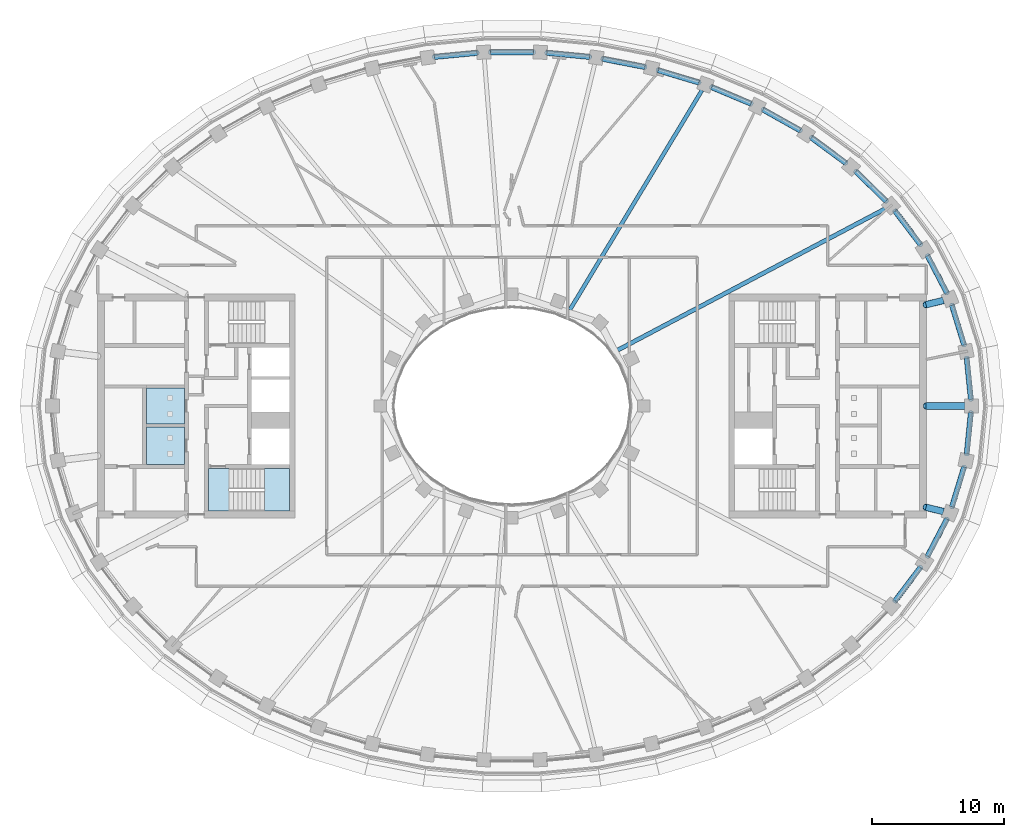
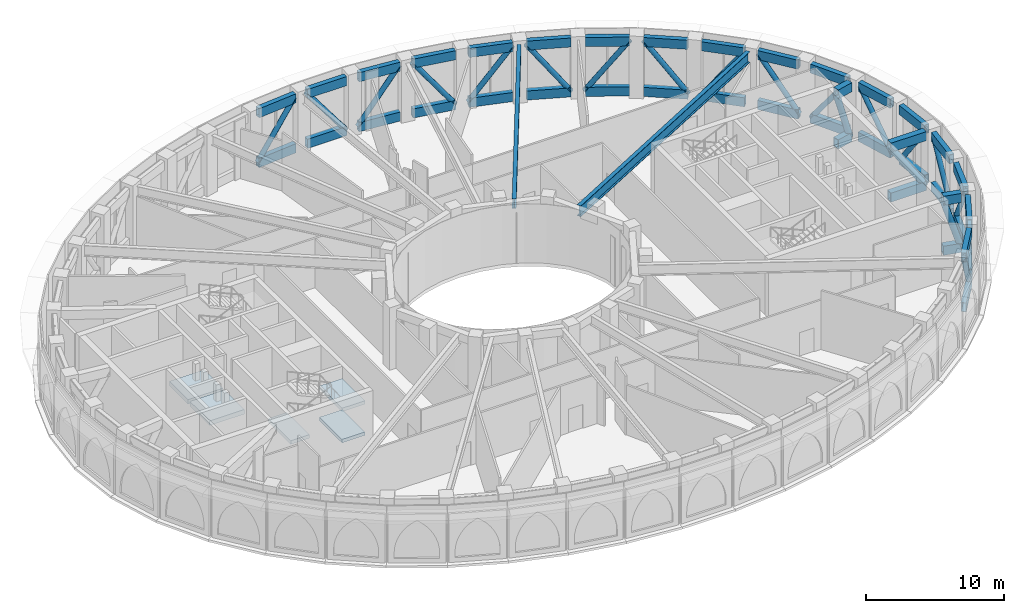
# One storey, part 3 of 23: 42 beams, 20 members, 5 slabs, 1 element without a shape of its own.
"""IFC4 building model written with IfcOpenShell, lengths in metres."""

from ifc_helpers import new_model, si_unit, direction, frame, origin, origin_2d, place, context, subcontext, project, spatial, polyline, hollow_rectangle, hollow_circle, i_section, outline, extrude, material, layer, layer_set, material_profile, profile_set, type_object, element, aggregate, save


model = new_model("IFC4")

# Units and contexts
model_context = context("Model", 3, precision=1e-05, world=origin(), true_north=direction((0.0, 1.0)))
body_context = subcontext(model_context, "Body", "Model", "MODEL_VIEW")
ifc_project = project(units=[si_unit("LENGTHUNIT", "METRE"), si_unit("AREAUNIT", "SQUARE_METRE"), si_unit("VOLUMEUNIT", "CUBIC_METRE"), si_unit("PLANEANGLEUNIT", "RADIAN"), si_unit("MASSUNIT", "GRAM", prefix="KILO")], contexts=[model_context])

# Site, building, storey
site_placement = place(None, origin())
site = spatial("IfcSite", under=ifc_project, at=site_placement, CompositionType="ELEMENT")
building_placement = place(site_placement, origin())
building = spatial("IfcBuilding", under=site, at=building_placement, Name="Noorbagh Ring Tower", CompositionType="ELEMENT")
storey_placement = place(building_placement, frame((0.0, 0.0, 285.5)))
storey = spatial("IfcBuildingStorey", under=building, at=storey_placement, Name="L61", CompositionType="ELEMENT", Elevation=285.5)

# Beams
ifc_material_1 = material(Name="Steel S460", Category="steel")
ifc_material_profile_1 = material_profile(ifc_material_1, hollow_rectangle(XDim=0.39990234375, YDim=0.800048828125, WallThickness=0.031982421875, at=origin_2d()), Name="BOX800x400x32")
ifc_profile_set_1 = profile_set([ifc_material_profile_1], Name="Steel S460")
beam_type_1 = type_object("IfcBeamType", Name="STR-BELT-TRUSS-CHORD-BOX800x400x32-S460", PredefinedType="BEAM", material=ifc_profile_set_1)
for number, where, z_axis, x_axis, name in (
    (1, (34.893798828125, 0.505126953125, 0.39990234375), (-0.100162281746, 0.99497111381, 0.0), (-0.99497111381, -0.100162281746, 0.0), "Belt truss chord"),
    (2, (34.893798828125, 0.505126953125, 4.800048828125), (-0.100162281746, 0.99497111381, 0.0), (-0.99497111381, -0.100162281746, 0.0), "Belt truss chord"),
):
    element("IfcBeam", number, at=place(storey_placement, frame(where, z_axis=z_axis, x_axis=x_axis)), inside=storey, type_object=beam_type_1, Name=name, PredefinedType="BEAM", context=body_context, shape_type="SweptSolid", body=[
        extrude(hollow_rectangle(XDim=0.39990234375, YDim=0.800048828125, WallThickness=0.031982421875, at=origin_2d()), origin(), (0.0, 0.0, 1.0), 3.156494140625),
    ])
for number, where, z_axis, x_axis, name in (
    (3, (34.37841796875, 4.635986328125, 0.39990234375), (-0.292140180951, 0.95637550924, 0.0), (-0.95637550924, -0.292140180951, 0.0), "Belt truss chord"),
    (4, (34.37841796875, 4.635986328125, 4.800048828125), (-0.292140180951, 0.95637550924, 0.0), (-0.95637550924, -0.292140180951, 0.0), "Belt truss chord"),
):
    element("IfcBeam", number, at=place(storey_placement, frame(where, z_axis=z_axis, x_axis=x_axis)), inside=storey, type_object=beam_type_1, Name=name, PredefinedType="BEAM", context=body_context, shape_type="SweptSolid", body=[
        extrude(hollow_rectangle(XDim=0.39990234375, YDim=0.800048828125, WallThickness=0.031982421875, at=origin_2d()), origin(), (0.0, 0.0, 1.0), 3.16650390625),
    ])
for number, where, z_axis, x_axis, name in (
    (5, (33.07080078125, 8.59912109375, 0.39990234375), (-0.462275020648, 0.886736604232, 0.0), (-0.886736604232, -0.462275020648, 0.0), "Belt truss chord"),
    (6, (33.07080078125, 8.59912109375, 4.800048828125), (-0.462275020648, 0.886736604232, 0.0), (-0.886736604232, -0.462275020648, 0.0), "Belt truss chord"),
):
    element("IfcBeam", number, at=place(storey_placement, frame(where, z_axis=z_axis, x_axis=x_axis)), inside=storey, type_object=beam_type_1, Name=name, PredefinedType="BEAM", context=body_context, shape_type="SweptSolid", body=[
        extrude(hollow_rectangle(XDim=0.39990234375, YDim=0.800048828125, WallThickness=0.031982421875, at=origin_2d()), origin(), (0.0, 0.0, 1.0), 3.18310546875),
    ])
for number, where, z_axis, x_axis, name in (
    (7, (31.058837890625, 12.27490234375, 0.39990234375), (-0.604005939895, 0.796979814406, 0.0), (-0.796979814406, -0.604005939895, 0.0), "Belt truss chord"),
    (8, (31.058837890625, 12.27490234375, 4.800048828125), (-0.604005939895, 0.796979814406, 0.0), (-0.796979814406, -0.604005939895, 0.0), "Belt truss chord"),
):
    element("IfcBeam", number, at=place(storey_placement, frame(where, z_axis=z_axis, x_axis=x_axis)), inside=storey, type_object=beam_type_1, Name=name, PredefinedType="BEAM", context=body_context, shape_type="SweptSolid", body=[
        extrude(hollow_rectangle(XDim=0.39990234375, YDim=0.800048828125, WallThickness=0.031982421875, at=origin_2d()), origin(), (0.0, 0.0, 1.0), 3.2021484375),
    ])
for number, where, z_axis, x_axis, name in (
    (9, (28.45556640625, 15.58349609375, 0.39990234375), (-0.717229582564, 0.69683694355, 0.0), (-0.69683694355, -0.717229582564, 0.0), "Belt truss chord"),
    (10, (28.45556640625, 15.58349609375, 4.800048828125), (-0.717229582564, 0.69683694355, 0.0), (-0.69683694355, -0.717229582564, 0.0), "Belt truss chord"),
):
    element("IfcBeam", number, at=place(storey_placement, frame(where, z_axis=z_axis, x_axis=x_axis)), inside=storey, type_object=beam_type_1, Name=name, PredefinedType="BEAM", context=body_context, shape_type="SweptSolid", body=[
        extrude(hollow_rectangle(XDim=0.39990234375, YDim=0.800048828125, WallThickness=0.031982421875, at=origin_2d()), origin(), (0.0, 0.0, 1.0), 3.220458984375),
    ])
for number, where, z_axis, x_axis, name in (
    (11, (25.375244140625, 18.48046875, 0.39990234375), (-0.805139257041, 0.593085808944, 0.0), (-0.593085808944, -0.805139257041, 0.0), "Belt truss chord"),
    (12, (25.375244140625, 18.48046875, 4.800048828125), (-0.805139257041, 0.593085808944, 0.0), (-0.593085808944, -0.805139257041, 0.0), "Belt truss chord"),
):
    element("IfcBeam", number, at=place(storey_placement, frame(where, z_axis=z_axis, x_axis=x_axis)), inside=storey, type_object=beam_type_1, Name=name, PredefinedType="BEAM", context=body_context, shape_type="SweptSolid", body=[
        extrude(hollow_rectangle(XDim=0.39990234375, YDim=0.800048828125, WallThickness=0.031982421875, at=origin_2d()), origin(), (0.0, 0.0, 1.0), 3.236328125),
    ])
for number, where, z_axis, x_axis, name in (
    (13, (21.9208984375, 20.947509765625, 0.39990234375), (-0.872036673164, 0.489440538428, 0.0), (-0.489440538428, -0.872036673164, 0.0), "Belt truss chord"),
    (14, (21.9208984375, 20.947509765625, 4.800048828125), (-0.872036673164, 0.489440538428, 0.0), (-0.489440538428, -0.872036673164, 0.0), "Belt truss chord"),
):
    element("IfcBeam", number, at=place(storey_placement, frame(where, z_axis=z_axis, x_axis=x_axis)), inside=storey, type_object=beam_type_1, Name=name, PredefinedType="BEAM", context=body_context, shape_type="SweptSolid", body=[
        extrude(hollow_rectangle(XDim=0.39990234375, YDim=0.800048828125, WallThickness=0.031982421875, at=origin_2d()), origin(), (0.0, 0.0, 1.0), 3.249267578125),
    ])
for number, where, z_axis, x_axis, name in (
    (15, (18.179931640625, 22.9814453125, 0.39990234375), (-0.921797458045, 0.38767182815, 0.0), (-0.38767182815, -0.921797458045, 0.0), "Belt truss chord"),
    (16, (18.179931640625, 22.9814453125, 4.800048828125), (-0.921797458045, 0.38767182815, 0.0), (-0.38767182815, -0.921797458045, 0.0), "Belt truss chord"),
):
    element("IfcBeam", number, at=place(storey_placement, frame(where, z_axis=z_axis, x_axis=x_axis)), inside=storey, type_object=beam_type_1, Name=name, PredefinedType="BEAM", context=body_context, shape_type="SweptSolid", body=[
        extrude(hollow_rectangle(XDim=0.39990234375, YDim=0.800048828125, WallThickness=0.031982421875, at=origin_2d()), origin(), (0.0, 0.0, 1.0), 3.259033203125),
    ])
for number, where, z_axis, x_axis, name in (
    (17, (14.225341796875, 24.586669921875, 0.39990234375), (-0.957591455389, 0.288129492704, 0.0), (-0.288129492704, -0.957591455389, 0.0), "Belt truss chord"),
    (18, (14.225341796875, 24.586669921875, 4.800048828125), (-0.957591455389, 0.288129492704, 0.0), (-0.288129492704, -0.957591455389, 0.0), "Belt truss chord"),
):
    element("IfcBeam", number, at=place(storey_placement, frame(where, z_axis=z_axis, x_axis=x_axis)), inside=storey, type_object=beam_type_1, Name=name, PredefinedType="BEAM", context=body_context, shape_type="SweptSolid", body=[
        extrude(hollow_rectangle(XDim=0.39990234375, YDim=0.800048828125, WallThickness=0.031982421875, at=origin_2d()), origin(), (0.0, 0.0, 1.0), 3.266357421875),
    ])
for number, where, z_axis, x_axis, name in (
    (19, (10.116943359375, 25.77001953125, 0.39990234375), (-0.981625486335, 0.190817726057, 0.0), (-0.190817726057, -0.981625486335, 0.0), "Belt truss chord"),
    (20, (10.116943359375, 25.77001953125, 4.800048828125), (-0.981625486335, 0.190817726057, 0.0), (-0.190817726057, -0.981625486335, 0.0), "Belt truss chord"),
):
    element("IfcBeam", number, at=place(storey_placement, frame(where, z_axis=z_axis, x_axis=x_axis)), inside=storey, type_object=beam_type_1, Name=name, PredefinedType="BEAM", context=body_context, shape_type="SweptSolid", body=[
        extrude(hollow_rectangle(XDim=0.39990234375, YDim=0.800048828125, WallThickness=0.031982421875, at=origin_2d()), origin(), (0.0, 0.0, 1.0), 3.271484375),
    ])
for number, where, z_axis, x_axis, name in (
    (21, (5.906005859375, 26.538818359375, 0.39990234375), (-0.99547803004, 0.094992061289, 0.0), (-0.094992061289, -0.99547803004, 0.0), "Belt truss chord"),
    (22, (5.906005859375, 26.538818359375, 4.800048828125), (-0.99547803004, 0.094992061289, 0.0), (-0.094992061289, -0.99547803004, 0.0), "Belt truss chord"),
):
    element("IfcBeam", number, at=place(storey_placement, frame(where, z_axis=z_axis, x_axis=x_axis)), inside=storey, type_object=beam_type_1, Name=name, PredefinedType="BEAM", context=body_context, shape_type="SweptSolid", body=[
        extrude(hollow_rectangle(XDim=0.39990234375, YDim=0.800048828125, WallThickness=0.031982421875, at=origin_2d()), origin(), (0.0, 0.0, 1.0), 3.2744140625),
    ])
for number, where, z_axis, x_axis, name in (
    (23, (1.6376953125, 26.89794921875, 0.39990234375), (-1.0, 0.0, 0.0), (0.0, -1.0, 0.0), "Belt truss chord"),
    (24, (1.6376953125, 26.89794921875, 4.800048828125), (-1.0, 0.0, 0.0), (0.0, -1.0, 0.0), "Belt truss chord"),
):
    element("IfcBeam", number, at=place(storey_placement, frame(where, z_axis=z_axis, x_axis=x_axis)), inside=storey, type_object=beam_type_1, Name=name, PredefinedType="BEAM", context=body_context, shape_type="SweptSolid", body=[
        extrude(hollow_rectangle(XDim=0.39990234375, YDim=0.800048828125, WallThickness=0.031982421875, at=origin_2d()), origin(), (0.0, 0.0, 1.0), 3.275390625),
    ])
for number, where, z_axis, x_axis, name in (
    (25, (-2.646484375, 26.849853515625, 0.39990234375), (-0.99547803004, -0.094992061289, 0.0), (0.094992061289, -0.99547803004, 0.0), "Belt truss chord"),
    (26, (-2.646484375, 26.849853515625, 4.800048828125), (-0.99547803004, -0.094992061289, 0.0), (0.094992061289, -0.99547803004, 0.0), "Belt truss chord"),
):
    element("IfcBeam", number, at=place(storey_placement, frame(where, z_axis=z_axis, x_axis=x_axis)), inside=storey, type_object=beam_type_1, Name=name, PredefinedType="BEAM", context=body_context, shape_type="SweptSolid", body=[
        extrude(hollow_rectangle(XDim=0.39990234375, YDim=0.800048828125, WallThickness=0.031982421875, at=origin_2d()), origin(), (0.0, 0.0, 1.0), 3.2744140625),
    ])
for number, where, z_axis, x_axis, name in (
    (27, (29.124755859375, -14.826904296875, 0.39990234375), (0.604005939895, 0.796979814406, 0.0), (-0.796979814406, 0.604005939895, 0.0), "Belt truss chord"),
    (28, (29.124755859375, -14.826904296875, 4.800048828125), (0.604005939895, 0.796979814406, 0.0), (-0.796979814406, 0.604005939895, 0.0), "Belt truss chord"),
):
    element("IfcBeam", number, at=place(storey_placement, frame(where, z_axis=z_axis, x_axis=x_axis)), inside=storey, type_object=beam_type_1, Name=name, PredefinedType="BEAM", context=body_context, shape_type="SweptSolid", body=[
        extrude(hollow_rectangle(XDim=0.39990234375, YDim=0.800048828125, WallThickness=0.031982421875, at=origin_2d()), origin(), (0.0, 0.0, 1.0), 3.2021484375),
    ])
for number, where, z_axis, x_axis, name in (
    (29, (31.599365234375, -11.421630859375, 0.39990234375), (0.462275020648, 0.886736604232, 0.0), (-0.886736604232, 0.462275020648, 0.0), "Belt truss chord"),
    (30, (31.599365234375, -11.421630859375, 4.800048828125), (0.462275020648, 0.886736604232, 0.0), (-0.886736604232, 0.462275020648, 0.0), "Belt truss chord"),
):
    element("IfcBeam", number, at=place(storey_placement, frame(where, z_axis=z_axis, x_axis=x_axis)), inside=storey, type_object=beam_type_1, Name=name, PredefinedType="BEAM", context=body_context, shape_type="SweptSolid", body=[
        extrude(hollow_rectangle(XDim=0.39990234375, YDim=0.800048828125, WallThickness=0.031982421875, at=origin_2d()), origin(), (0.0, 0.0, 1.0), 3.18310546875),
    ])
for number, where, z_axis, x_axis, name in (
    (31, (33.453369140625, -7.664306640625, 0.39990234375), (0.292140180951, 0.95637550924, 0.0), (-0.95637550924, 0.292140180951, 0.0), "Belt truss chord"),
    (32, (33.453369140625, -7.664306640625, 4.800048828125), (0.292140180951, 0.95637550924, 0.0), (-0.95637550924, 0.292140180951, 0.0), "Belt truss chord"),
):
    element("IfcBeam", number, at=place(storey_placement, frame(where, z_axis=z_axis, x_axis=x_axis)), inside=storey, type_object=beam_type_1, Name=name, PredefinedType="BEAM", context=body_context, shape_type="SweptSolid", body=[
        extrude(hollow_rectangle(XDim=0.39990234375, YDim=0.800048828125, WallThickness=0.031982421875, at=origin_2d()), origin(), (0.0, 0.0, 1.0), 3.16650390625),
    ])
for number, where, z_axis, x_axis, name in (
    (33, (34.57763671875, -3.645751953125, 0.39990234375), (0.100162281746, 0.99497111381, 0.0), (-0.99497111381, 0.100162281746, 0.0), "Belt truss chord"),
    (34, (34.57763671875, -3.645751953125, 4.800048828125), (0.100162281746, 0.99497111381, 0.0), (-0.99497111381, 0.100162281746, 0.0), "Belt truss chord"),
):
    element("IfcBeam", number, at=place(storey_placement, frame(where, z_axis=z_axis, x_axis=x_axis)), inside=storey, type_object=beam_type_1, Name=name, PredefinedType="BEAM", context=body_context, shape_type="SweptSolid", body=[
        extrude(hollow_rectangle(XDim=0.39990234375, YDim=0.800048828125, WallThickness=0.031982421875, at=origin_2d()), origin(), (0.0, 0.0, 1.0), 3.156494140625),
    ])

# Members
ifc_material_2 = material(Name="Steel S355", Category="steel")
ifc_material_profile_2 = material_profile(ifc_material_2, hollow_circle(Radius=0.203125, WallThickness=0.01611328125, at=origin_2d()), Name="CHS406.4x16")
ifc_profile_set_2 = profile_set([ifc_material_profile_2], Name="Steel S355")
member_type_1 = type_object("IfcMemberType", Name="STR-BELT-TRUSS-DIAGONAL-CHS406.4x16", PredefinedType="BRACE", material=ifc_profile_set_2)
member_1_placement = place(storey_placement, frame((34.57763671875, 3.645751953125, 0.39990234375), z_axis=(0.05838381788, -0.579960952286, 0.812549459192), x_axis=(0.99497111381, 0.100162281746, 0.0)))
element("IfcMember", 35, at=member_1_placement, inside=storey, type_object=member_type_1, Name="Belt truss diagonal", PredefinedType="BRACE", context=body_context, shape_type="SweptSolid", body=[
    extrude(hollow_circle(Radius=0.203125, WallThickness=0.01611328125, at=origin_2d()), origin(), (0.0, 0.0, 1.0), 5.415283203125),
])
member_2_placement = place(storey_placement, frame((34.37841796875, 4.635986328125, 0.39990234375), z_axis=(-0.170640316934, 0.558622985288, 0.811678657194), x_axis=(-0.95637550924, -0.292140180951, 0.0)))
element("IfcMember", 36, at=member_2_placement, inside=storey, type_object=member_type_1, Name="Belt truss diagonal", PredefinedType="BRACE", context=body_context, shape_type="SweptSolid", body=[
    extrude(hollow_circle(Radius=0.203125, WallThickness=0.01611328125, at=origin_2d()), origin(), (0.0, 0.0, 1.0), 5.421142578125),
])
member_3_placement = place(storey_placement, frame((31.599365234375, 11.421630859375, 0.39990234375), z_axis=(0.270945515121, -0.519728073721, 0.810229138714), x_axis=(0.886736604232, 0.462275020648, 0.0)))
element("IfcMember", 37, at=member_3_placement, inside=storey, type_object=member_type_1, Name="Belt truss diagonal", PredefinedType="BRACE", context=body_context, shape_type="SweptSolid", body=[
    extrude(hollow_circle(Radius=0.203125, WallThickness=0.01611328125, at=origin_2d()), origin(), (0.0, 0.0, 1.0), 5.4306640625),
])
member_4_placement = place(storey_placement, frame((31.058837890625, 12.27490234375, 0.39990234375), z_axis=(-0.355403249819, 0.468951043973, 0.808562581607), x_axis=(-0.796979814406, -0.604005939895, 0.0)))
element("IfcMember", 38, at=member_4_placement, inside=storey, type_object=member_type_1, Name="Belt truss diagonal", PredefinedType="BRACE", context=body_context, shape_type="SweptSolid", body=[
    extrude(hollow_circle(Radius=0.203125, WallThickness=0.01611328125, at=origin_2d()), origin(), (0.0, 0.0, 1.0), 5.44189453125),
])
member_5_placement = place(storey_placement, frame((26.145751953125, 17.82763671875, 0.39990234375), z_axis=(0.423603877788, -0.411559755271, 0.806956208579), x_axis=(0.69683694355, 0.717229582564, 0.0)))
element("IfcMember", 39, at=member_5_placement, inside=storey, type_object=member_type_1, Name="Belt truss diagonal", PredefinedType="BRACE", context=body_context, shape_type="SweptSolid", body=[
    extrude(hollow_circle(Radius=0.203125, WallThickness=0.01611328125, at=origin_2d()), origin(), (0.0, 0.0, 1.0), 5.452880859375),
])
member_6_placement = place(storey_placement, frame((25.375244140625, 18.48046875, 0.39990234375), z_axis=(-0.47704757351, 0.351405230295, 0.805568108064), x_axis=(-0.593085808944, -0.805139257041, 0.0)))
element("IfcMember", 40, at=member_6_placement, inside=storey, type_object=member_type_1, Name="Belt truss diagonal", PredefinedType="BRACE", context=body_context, shape_type="SweptSolid", body=[
    extrude(hollow_circle(Radius=0.203125, WallThickness=0.01611328125, at=origin_2d()), origin(), (0.0, 0.0, 1.0), 5.462158203125),
])
member_7_placement = place(storey_placement, frame((19.08740234375, 22.537841796875, 0.39990234375), z_axis=(0.518021789464, -0.290745643337, 0.804437938266), x_axis=(0.489440538428, 0.872036673164, 0.0)))
element("IfcMember", 41, at=member_7_placement, inside=storey, type_object=member_type_1, Name="Belt truss diagonal", PredefinedType="BRACE", context=body_context, shape_type="SweptSolid", body=[
    extrude(hollow_circle(Radius=0.203125, WallThickness=0.01611328125, at=origin_2d()), origin(), (0.0, 0.0, 1.0), 5.4697265625),
])
member_8_placement = place(storey_placement, frame((18.179931640625, 22.9814453125, 0.39990234375), z_axis=(-0.548640736729, 0.230736758437, 0.803588134748), x_axis=(-0.38767182815, -0.921797458045, 0.0)))
element("IfcMember", 42, at=member_8_placement, inside=storey, type_object=member_type_1, Name="Belt truss diagonal", PredefinedType="BRACE", context=body_context, shape_type="SweptSolid", body=[
    extrude(hollow_circle(Radius=0.203125, WallThickness=0.01611328125, at=origin_2d()), origin(), (0.0, 0.0, 1.0), 5.4755859375),
])
member_9_placement = place(storey_placement, frame((11.097412109375, 25.52783203125, 0.39990234375), z_axis=(0.570784203225, -0.171743139512, 0.802938159125), x_axis=(0.288129492704, 0.957591455389, 0.0)))
element("IfcMember", 43, at=member_9_placement, inside=storey, type_object=member_type_1, Name="Belt truss diagonal", PredefinedType="BRACE", context=body_context, shape_type="SweptSolid", body=[
    extrude(hollow_circle(Radius=0.203125, WallThickness=0.01611328125, at=origin_2d()), origin(), (0.0, 0.0, 1.0), 5.47998046875),
])
member_10_placement = place(storey_placement, frame((10.116943359375, 25.77001953125, 0.39990234375), z_axis=(-0.585696554173, 0.113853283337, 0.802494221975), x_axis=(-0.190817726057, -0.981625486335, 0.0)))
element("IfcMember", 44, at=member_10_placement, inside=storey, type_object=member_type_1, Name="Belt truss diagonal", PredefinedType="BRACE", context=body_context, shape_type="SweptSolid", body=[
    extrude(hollow_circle(Radius=0.203125, WallThickness=0.01611328125, at=origin_2d()), origin(), (0.0, 0.0, 1.0), 5.483154296875),
])
member_11_placement = place(storey_placement, frame((2.646484375, 26.849853515625, 0.39990234375), z_axis=(0.594287775286, -0.056709057427, 0.802250660923), x_axis=(0.094992061289, 0.99547803004, 0.0)))
element("IfcMember", 45, at=member_11_placement, inside=storey, type_object=member_type_1, Name="Belt truss diagonal", PredefinedType="BRACE", context=body_context, shape_type="SweptSolid", body=[
    extrude(hollow_circle(Radius=0.203125, WallThickness=0.01611328125, at=origin_2d()), origin(), (0.0, 0.0, 1.0), 5.48486328125),
])
member_12_placement = place(storey_placement, frame((1.6376953125, 26.89794921875, 0.39990234375), z_axis=(-0.597112017864, 0.0, 0.802157863592), x_axis=(0.0, -1.0, 0.0)))
element("IfcMember", 46, at=member_12_placement, inside=storey, type_object=member_type_1, Name="Belt truss diagonal", PredefinedType="BRACE", context=body_context, shape_type="SweptSolid", body=[
    extrude(hollow_circle(Radius=0.203125, WallThickness=0.01611328125, at=origin_2d()), origin(), (0.0, 0.0, 1.0), 5.4853515625),
])
member_13_placement = place(storey_placement, frame((-5.906005859375, 26.538818359375, 0.39990234375), z_axis=(0.594287775286, 0.056709057427, 0.802250660923), x_axis=(-0.094992061289, 0.99547803004, 0.0)))
element("IfcMember", 47, at=member_13_placement, inside=storey, type_object=member_type_1, Name="Belt truss diagonal", PredefinedType="BRACE", context=body_context, shape_type="SweptSolid", body=[
    extrude(hollow_circle(Radius=0.203125, WallThickness=0.01611328125, at=origin_2d()), origin(), (0.0, 0.0, 1.0), 5.48486328125),
])
member_14_placement = place(storey_placement, frame((31.058837890625, -12.27490234375, 0.39990234375), z_axis=(-0.355403249819, -0.468951043973, 0.808562581607), x_axis=(0.796979814406, -0.604005939895, 0.0)))
element("IfcMember", 48, at=member_14_placement, inside=storey, type_object=member_type_1, Name="Belt truss diagonal", PredefinedType="BRACE", context=body_context, shape_type="SweptSolid", body=[
    extrude(hollow_circle(Radius=0.203125, WallThickness=0.01611328125, at=origin_2d()), origin(), (0.0, 0.0, 1.0), 5.44189453125),
])
member_15_placement = place(storey_placement, frame((31.599365234375, -11.421630859375, 0.39990234375), z_axis=(0.270945515121, 0.519728073721, 0.810229138714), x_axis=(-0.886736604232, 0.462275020648, 0.0)))
element("IfcMember", 49, at=member_15_placement, inside=storey, type_object=member_type_1, Name="Belt truss diagonal", PredefinedType="BRACE", context=body_context, shape_type="SweptSolid", body=[
    extrude(hollow_circle(Radius=0.203125, WallThickness=0.01611328125, at=origin_2d()), origin(), (0.0, 0.0, 1.0), 5.4306640625),
])
member_16_placement = place(storey_placement, frame((34.37841796875, -4.635986328125, 0.39990234375), z_axis=(-0.170640316934, -0.558622985288, 0.811678657194), x_axis=(0.95637550924, -0.292140180951, 0.0)))
element("IfcMember", 50, at=member_16_placement, inside=storey, type_object=member_type_1, Name="Belt truss diagonal", PredefinedType="BRACE", context=body_context, shape_type="SweptSolid", body=[
    extrude(hollow_circle(Radius=0.203125, WallThickness=0.01611328125, at=origin_2d()), origin(), (0.0, 0.0, 1.0), 5.421142578125),
])
member_17_placement = place(storey_placement, frame((34.57763671875, -3.645751953125, 0.39990234375), z_axis=(0.05838381788, 0.579960952286, 0.812549459192), x_axis=(-0.99497111381, 0.100162281746, 0.0)))
element("IfcMember", 51, at=member_17_placement, inside=storey, type_object=member_type_1, Name="Belt truss diagonal", PredefinedType="BRACE", context=body_context, shape_type="SweptSolid", body=[
    extrude(hollow_circle(Radius=0.203125, WallThickness=0.01611328125, at=origin_2d()), origin(), (0.0, 0.0, 1.0), 5.415283203125),
])

# Beams
ifc_material_3 = material(Name="Steel S460", Category="steel")
ifc_material_profile_3 = material_profile(ifc_material_3, hollow_rectangle(XDim=0.5, YDim=0.800048828125, WallThickness=0.0400390625, at=origin_2d()), Name="BOX800x500x40")
ifc_profile_set_3 = profile_set([ifc_material_profile_3], Name="Steel S460")
beam_type_2 = type_object("IfcBeamType", Name="STR-OUTRIGGER-TRUSS-CHORD-BOX800x500x40-S460", PredefinedType="BEAM", material=ifc_profile_set_3)
for number, where, z_axis, x_axis, name in (
    (52, (34.439697265625, 0.0, 0.39990234375), (-1.0, 0.0, 0.0), (0.0, -1.0, 0.0), "Outrigger truss chord"),
    (53, (34.439697265625, 0.0, 4.800048828125), (-1.0, 0.0, 0.0), (0.0, -1.0, 0.0), "Outrigger truss chord"),
):
    element("IfcBeam", number, at=place(storey_placement, frame(where, z_axis=z_axis, x_axis=x_axis)), inside=storey, type_object=beam_type_2, Name=name, PredefinedType="BEAM", context=body_context, shape_type="SweptSolid", body=[
        extrude(hollow_rectangle(XDim=0.5, YDim=0.800048828125, WallThickness=0.0400390625, at=origin_2d()), origin(), (0.0, 0.0, 1.0), 2.959716796875),
    ])
for number, where, z_axis, x_axis, name in (
    (54, (32.80908203125, 8.02783203125, 0.39990234375), (-0.971368805904, -0.237576604311, 0.0), (0.237576604311, -0.971368805904, 0.0), "Outrigger truss chord"),
    (55, (32.80908203125, 8.02783203125, 4.800048828125), (-0.971368805904, -0.237576604311, 0.0), (0.237576604311, -0.971368805904, 0.0), "Outrigger truss chord"),
    (56, (32.80908203125, -8.02783203125, 0.39990234375), (-0.971368805904, 0.237576604311, 0.0), (-0.237576604311, -0.971368805904, 0.0), "Outrigger truss chord"),
    (57, (32.80908203125, -8.02783203125, 4.800048828125), (-0.971368805904, 0.237576604311, 0.0), (-0.237576604311, -0.971368805904, 0.0), "Outrigger truss chord"),
):
    element("IfcBeam", number, at=place(storey_placement, frame(where, z_axis=z_axis, x_axis=x_axis)), inside=storey, type_object=beam_type_2, Name=name, PredefinedType="BEAM", context=body_context, shape_type="SweptSolid", body=[
        extrude(hollow_rectangle(XDim=0.5, YDim=0.800048828125, WallThickness=0.0400390625, at=origin_2d()), origin(), (0.0, 0.0, 1.0), 1.36767578125),
    ])

# Members
ifc_material_4 = material(Name="Steel S355", Category="steel")
ifc_material_profile_4 = material_profile(ifc_material_4, hollow_circle(Radius=0.25390625, WallThickness=0.02490234375, at=origin_2d()), Name="CHS508x25")
ifc_profile_set_4 = profile_set([ifc_material_profile_4], Name="Steel S355")
member_type_2 = type_object("IfcMemberType", Name="STR-OUTRIGGER-TRUSS-DIAGONAL-CHS508x25", PredefinedType="BRACE", material=ifc_profile_set_4)
member_18_placement = place(storey_placement, frame((34.439697265625, 0.0, 0.39990234375), z_axis=(-0.55812713214, 0.0, 0.829755448532), x_axis=(0.0, -1.0, 0.0)))
element("IfcMember", 58, at=member_18_placement, inside=storey, type_object=member_type_2, Name="Outrigger truss diagonal", PredefinedType="BRACE", context=body_context, shape_type="SweptSolid", body=[
    extrude(hollow_circle(Radius=0.25390625, WallThickness=0.02490234375, at=origin_2d()), origin(), (0.0, 0.0, 1.0), 5.302978515625),
])
for number, where, z_axis, x_axis, name in (
    (59, (32.80908203125, 8.02783203125, 0.39990234375), (-0.288338184079, -0.070521522052, 0.954928168256), (0.237576604311, -0.971368805904, 0.0), "Outrigger truss diagonal"),
    (60, (32.80908203125, -8.02783203125, 0.39990234375), (-0.288338184079, 0.070521522052, 0.954928168256), (-0.237576604311, -0.971368805904, 0.0), "Outrigger truss diagonal"),
):
    element("IfcMember", number, at=place(storey_placement, frame(where, z_axis=z_axis, x_axis=x_axis)), inside=storey, type_object=member_type_2, Name=name, PredefinedType="BRACE", context=body_context, shape_type="SweptSolid", body=[
        extrude(hollow_circle(Radius=0.25390625, WallThickness=0.02490234375, at=origin_2d()), origin(), (0.0, 0.0, 1.0), 4.60791015625),
    ])

# Beams
ifc_material_5 = material(Name="Steel S355", Category="steel")
ifc_material_profile_5 = material_profile(ifc_material_5, i_section(OverallWidth=0.300048828125, OverallDepth=0.85009765625, WebThickness=0.013916015625, FlangeThickness=0.028076171875, at=origin_2d()), Name="PG850x300x14x28")
ifc_profile_set_5 = profile_set([ifc_material_profile_5], Name="Steel S355")
beam_type_3 = type_object("IfcBeamType", Name="STR-RAD-PG850x300x14x28", PredefinedType="BEAM", material=ifc_profile_set_5)
beam_1_placement = place(storey_placement, frame((14.44384765625, 23.999267578125, 4.77490234375), z_axis=(-0.515656906989, -0.856795164712, 0.0), x_axis=(0.856795164712, -0.515656906989, 0.0)))
element("IfcBeam", 61, at=beam_1_placement, inside=storey, type_object=beam_type_3, Name="L61/bm/RD09", PredefinedType="BEAM", context=body_context, shape_type="SweptSolid", body=[
    extrude(i_section(OverallWidth=0.300048828125, OverallDepth=0.85009765625, WebThickness=0.013916015625, FlangeThickness=0.028076171875, at=origin_2d()), origin(), (0.0, 0.0, 1.0), 19.471923828125),
])
ifc_material_6 = material(Name="Steel S355", Category="steel")
ifc_material_profile_6 = material_profile(ifc_material_6, i_section(OverallWidth=0.320068359375, OverallDepth=0.949951171875, WebThickness=0.01611328125, FlangeThickness=0.030029296875, at=origin_2d()), Name="PG950x320x16x30")
ifc_profile_set_6 = profile_set([ifc_material_profile_6], Name="Steel S355")
beam_type_4 = type_object("IfcBeamType", Name="STR-RAD-PG950x320x16x30", PredefinedType="BEAM", material=ifc_profile_set_6)
beam_2_placement = place(storey_placement, frame((28.35888671875, 14.9873046875, 4.72509765625), z_axis=(-0.884128728226, -0.467243396878, 0.0), x_axis=(0.467243396878, -0.884128728226, 0.0)))
element("IfcBeam", 62, at=beam_2_placement, inside=storey, type_object=beam_type_4, Name="L61/bm/RD05", PredefinedType="BEAM", context=body_context, shape_type="SweptSolid", body=[
    extrude(i_section(OverallWidth=0.320068359375, OverallDepth=0.949951171875, WebThickness=0.01611328125, FlangeThickness=0.030029296875, at=origin_2d()), origin(), (0.0, 0.0, 1.0), 22.98486328125),
])

# Slabs
ifc_material_7 = material(Name="Concrete C40/50", Category="concrete")
ifc_layer_1 = layer(ifc_material_7, 0.39990234375)
ifc_layer_set_1 = layer_set([ifc_layer_1], Name="Concrete C40/50")
slab_type_1 = type_object("IfcSlabType", Name="CORE-PIT-SLAB", PredefinedType="BASESLAB", material=ifc_layer_set_1)
slab_1_placement = place(storey_placement, frame((0.0, 0.0, 3.60009765625)))
element("IfcSlab", 63, at=slab_1_placement, inside=storey, type_object=slab_type_1, Name="Lift pit floor HR5", PredefinedType="BASESLAB", context=body_context, shape_type="SweptSolid", body=[
    extrude(outline(polyline([(-24.89990234375, -1.60009765625), (-27.800048828125, -1.60009765625), (-27.800048828125, -4.449951171875), (-24.89990234375, -4.449951171875), (-24.89990234375, -1.60009765625)])), origin(), (0.0, 0.0, 1.0), 0.39990234375),
])
slab_2_placement = place(storey_placement, frame((0.0, 0.0, 3.60009765625)))
element("IfcSlab", 64, at=slab_2_placement, inside=storey, type_object=slab_type_1, Name="Lift pit floor HR6", PredefinedType="BASESLAB", context=body_context, shape_type="SweptSolid", body=[
    extrude(outline(polyline([(-24.89990234375, 1.35009765625), (-27.800048828125, 1.35009765625), (-27.800048828125, -1.35009765625), (-24.89990234375, -1.35009765625), (-24.89990234375, 1.35009765625)])), origin(), (0.0, 0.0, 1.0), 0.39990234375),
])

# Stair, slabs
ifc_material_8 = material(Name="Concrete C40/50", Category="concrete")
stair_type = type_object("IfcStairType", Name="CORE-STAIR", PredefinedType="HALF_TURN_STAIR", material=ifc_material_8)
stair_placement = place(storey_placement, origin())
stair = element("IfcStair", 65, at=stair_placement, inside=storey, type_object=stair_type, Name="L61 Exit stair ST2", PredefinedType="HALF_TURN_STAIR")
ifc_material_9 = material(Name="Concrete C40/50", Category="concrete")
ifc_layer_2 = layer(ifc_material_9, 0.300048828125)
ifc_layer_set_2 = layer_set([ifc_layer_2], Name="Concrete C40/50")
slab_type_2 = type_object("IfcSlabType", Name="CORE-STAIR-LANDING", PredefinedType="LANDING", material=ifc_layer_set_2)
slab_3_placement = place(storey_placement, frame((0.0, 0.0, 1.074951171875)))
slab_3 = element("IfcSlab", 66, at=slab_3_placement, type_object=slab_type_2, Name="ST2 landing 1", PredefinedType="LANDING", context=body_context, shape_type="SweptSolid", body=[
    extrude(outline(polyline([(-18.81005859375, -8.0), (-16.89990234375, -8.0), (-16.89990234375, -4.75), (-18.81005859375, -4.75), (-18.81005859375, -8.0)])), origin(), (0.0, 0.0, 1.0), 0.300048828125),
])
slab_4_placement = place(storey_placement, frame((0.0, 0.0, 2.449951171875)))
slab_4 = element("IfcSlab", 67, at=slab_4_placement, type_object=slab_type_2, Name="ST2 landing 2", PredefinedType="LANDING", context=body_context, shape_type="SweptSolid", body=[
    extrude(outline(polyline([(-23.080078125, -8.0), (-21.530029296875, -8.0), (-21.530029296875, -4.75), (-23.080078125, -4.75), (-23.080078125, -8.0)])), origin(), (0.0, 0.0, 1.0), 0.300048828125),
])
slab_5_placement = place(storey_placement, frame((0.0, 0.0, 3.824951171875)))
slab_5 = element("IfcSlab", 68, at=slab_5_placement, type_object=slab_type_2, Name="ST2 landing 3", PredefinedType="LANDING", context=body_context, shape_type="SweptSolid", body=[
    extrude(outline(polyline([(-18.81005859375, -8.0), (-16.89990234375, -8.0), (-16.89990234375, -4.75), (-18.81005859375, -4.75), (-18.81005859375, -8.0)])), origin(), (0.0, 0.0, 1.0), 0.300048828125),
])
aggregate(stair, [slab_3, slab_4, slab_5])

save(model, "model.ifc")
